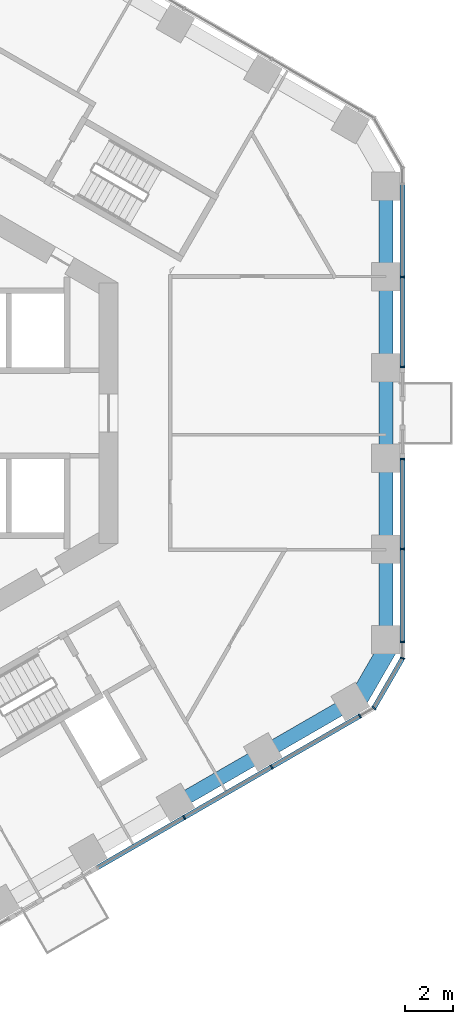
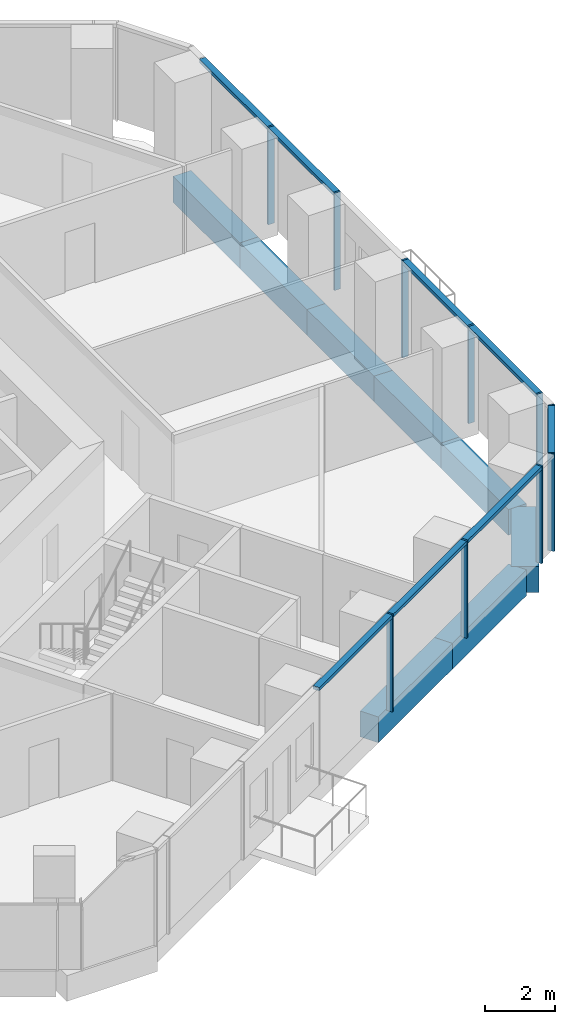
# One storey, part 5 of 20: 14 members, 8 beams, 4 elements without a shape of their own.
"""IFC4 building model written with IfcOpenShell, lengths in metres."""

from ifc_helpers import new_model, si_unit, direction, frame, origin, origin_2d, place, context, subcontext, project, spatial, rectangle, extrude, material, layer, layer_set, material_profile, profile_set, type_object, element, aggregate, save


model = new_model("IFC4")

# Units and contexts
model_context = context("Model", 3, precision=1e-05, world=origin(), true_north=direction((0.0, 1.0)))
body_context = subcontext(model_context, "Body", "Model", "MODEL_VIEW")
ifc_project = project(units=[si_unit("LENGTHUNIT", "METRE"), si_unit("AREAUNIT", "SQUARE_METRE"), si_unit("VOLUMEUNIT", "CUBIC_METRE"), si_unit("PLANEANGLEUNIT", "RADIAN"), si_unit("MASSUNIT", "GRAM", prefix="KILO")], contexts=[model_context])

# Site, building, storey
site_placement = place(None, origin())
site = spatial("IfcSite", under=ifc_project, at=site_placement, CompositionType="ELEMENT")
building_placement = place(site_placement, origin())
building = spatial("IfcBuilding", under=site, at=building_placement, Name="Ayvan Gate Tower", CompositionType="ELEMENT")
storey_placement = place(building_placement, frame((0.0, 0.0, 59.5)))
storey = spatial("IfcBuildingStorey", under=building, at=storey_placement, Name="L15", CompositionType="ELEMENT", Elevation=59.5)

# Beams
ifc_material_1 = material(Name="Concrete C40/50", Category="concrete")
ifc_material_profile_1 = material_profile(ifc_material_1, rectangle(XDim=0.800048828125, YDim=0.89990234375, at=origin_2d()), Name="RC 800x900")
ifc_profile_set_1 = profile_set([ifc_material_profile_1], Name="Concrete C40/50")
beam_type_1 = type_object("IfcBeamType", Name="Corner spandrel beam RC 800x900 C40/50", PredefinedType="BEAM", material=ifc_profile_set_1)
beam_1_placement = place(storey_placement, frame((19.47509765625, -12.306884765625, -0.800048828125), z_axis=(0.499990139034, 0.866031096941, 0.0), x_axis=(-0.866031096941, 0.499990139034, 0.0)))
element("IfcBeam", 1, at=beam_1_placement, inside=storey, type_object=beam_type_1, Name="SB-L15-36", PredefinedType="BEAM", context=body_context, shape_type="SweptSolid", body=[
    extrude(rectangle(XDim=0.800048828125, YDim=0.89990234375, at=origin_2d()), origin(), (0.0, 0.0, 1.0), 3.0),
])
ifc_material_profile_2 = material_profile(ifc_material_1, rectangle(XDim=0.60009765625, YDim=0.89990234375, at=origin_2d()), Name="RC 600x900")
ifc_profile_set_2 = profile_set([ifc_material_profile_2], Name="Concrete C40/50")
beam_type_2 = type_object("IfcBeamType", Name="Spandrel beam RC 600x900 C40/50", PredefinedType="BEAM", material=ifc_profile_set_2)
for number, where, z_axis, x_axis, name in (
    (2, (20.78466796875, -9.598876953125, -0.800048828125), (0.0, 1.0, 0.0), (-1.0, 0.0, 0.0), "SB-L15-1"),
    (3, (20.78466796875, -5.75927734375, -0.800048828125), (0.0, 1.0, 0.0), (-1.0, 0.0, 0.0), "SB-L15-2"),
):
    element("IfcBeam", number, at=place(storey_placement, frame(where, z_axis=z_axis, x_axis=x_axis)), inside=storey, type_object=beam_type_2, Name=name, PredefinedType="BEAM", context=body_context, shape_type="SweptSolid", body=[
        extrude(rectangle(XDim=0.60009765625, YDim=0.89990234375, at=origin_2d()), origin(), (0.0, 0.0, 1.0), 3.839599609375),
    ])
beam_2_placement = place(storey_placement, frame((20.78466796875, -1.919677734375, -0.800048828125), z_axis=(0.0, 1.0, 0.0), x_axis=(-1.0, 0.0, 0.0)))
element("IfcBeam", 4, at=beam_2_placement, inside=storey, type_object=beam_type_2, Name="SB-L15-3", PredefinedType="BEAM", context=body_context, shape_type="SweptSolid", body=[
    extrude(rectangle(XDim=0.60009765625, YDim=0.89990234375, at=origin_2d()), origin(), (0.0, 0.0, 1.0), 3.83935546875),
])
for number, where, z_axis, x_axis, name in (
    (5, (20.78466796875, 1.919677734375, -0.800048828125), (0.0, 1.0, 0.0), (-1.0, 0.0, 0.0), "SB-L15-4"),
    (6, (20.78466796875, 5.75927734375, -0.800048828125), (0.0, 1.0, 0.0), (-1.0, 0.0, 0.0), "SB-L15-5"),
):
    element("IfcBeam", number, at=place(storey_placement, frame(where, z_axis=z_axis, x_axis=x_axis)), inside=storey, type_object=beam_type_2, Name=name, PredefinedType="BEAM", context=body_context, shape_type="SweptSolid", body=[
        extrude(rectangle(XDim=0.60009765625, YDim=0.89990234375, at=origin_2d()), origin(), (0.0, 0.0, 1.0), 3.839599609375),
    ])
for number, where, z_axis, x_axis, name in (
    (7, (11.93896484375, -16.43798828125, -0.800048828125), (0.866016865031, 0.500014789262, 0.0), (-0.500014789262, 0.866016865031, 0.0), "SB-L15-34"),
    (8, (15.61181640625, -14.3173828125, -0.800048828125), (0.866016865031, 0.500014789262, 0.0), (-0.500014789262, 0.866016865031, 0.0), "SB-L15-35"),
):
    element("IfcBeam", number, at=place(storey_placement, frame(where, z_axis=z_axis, x_axis=x_axis)), inside=storey, type_object=beam_type_2, Name=name, PredefinedType="BEAM", context=body_context, shape_type="SweptSolid", body=[
        extrude(rectangle(XDim=0.60009765625, YDim=0.89990234375, at=origin_2d()), origin(), (0.0, 0.0, 1.0), 4.240966796875),
    ])

# Curtain wall, members
ifc_material_2 = material(Name="Bronze anodised aluminium", Category="aluminium")
ifc_layer_1 = layer(ifc_material_2, 0.199951171875)
ifc_layer_set_1 = layer_set([ifc_layer_1], Name="Bronze anodised aluminium")
curtain_wall_type_1 = type_object("IfcCurtainWallType", Name="Stick curtain wall CW-1", PredefinedType="NOTDEFINED", material=ifc_layer_set_1)
curtain_wall_1_placement = place(storey_placement, origin())
curtain_wall_1 = element("IfcCurtainWall", 9, at=curtain_wall_1_placement, inside=storey, type_object=curtain_wall_type_1, Name="Stick curtain wall CW-1 L15", PredefinedType="NOTDEFINED")
ifc_material_profile_3 = material_profile(ifc_material_2, rectangle(XDim=0.199951171875, YDim=0.06005859375, at=origin_2d()), Name="Stick curtain wall CW-1 mullion 200 x 60")
ifc_profile_set_3 = profile_set([ifc_material_profile_3], Name="Bronze anodised aluminium")
member_type_1 = type_object("IfcMemberType", Name="Stick curtain wall CW-1 mullion 200 x 60", PredefinedType="MULLION", material=ifc_profile_set_3)
member_1_placement = place(storey_placement, frame((12.2861328125, -17.029541015625, 0.0), z_axis=(0.0, 0.0, 1.0), x_axis=(0.5, -0.866025403784, 0.0)))
member_1 = element("IfcMember", 10, at=member_1_placement, type_object=member_type_1, Name="CW-1 mullion 2", PredefinedType="MULLION", context=body_context, shape_type="SweptSolid", body=[
    extrude(rectangle(XDim=0.199951171875, YDim=0.06005859375, at=origin_2d()), origin(), (0.0, 0.0, 1.0), 3.39990234375),
])
member_2_placement = place(storey_placement, frame((15.967529296875, -14.904052734375, 0.0), z_axis=(0.0, 0.0, 1.0), x_axis=(0.5, -0.866025403784, 0.0)))
member_2 = element("IfcMember", 11, at=member_2_placement, type_object=member_type_1, Name="CW-1 mullion 3", PredefinedType="MULLION", context=body_context, shape_type="SweptSolid", body=[
    extrude(rectangle(XDim=0.199951171875, YDim=0.06005859375, at=origin_2d()), origin(), (0.0, 0.0, 1.0), 3.39990234375),
])
member_3_placement = place(storey_placement, frame((19.6884765625, -12.755859375, 0.0), z_axis=(0.0, 0.0, 1.0), x_axis=(0.5, -0.866025403784, 0.0)))
member_3 = element("IfcMember", 12, at=member_3_placement, type_object=member_type_1, Name="CW-1 mullion 4", PredefinedType="MULLION", context=body_context, shape_type="SweptSolid", body=[
    extrude(rectangle(XDim=0.199951171875, YDim=0.06005859375, at=origin_2d()), origin(), (0.0, 0.0, 1.0), 3.39990234375),
])

curtain_wall_2_placement = place(storey_placement, origin())
curtain_wall_2 = element("IfcCurtainWall", 13, at=curtain_wall_2_placement, inside=storey, type_object=curtain_wall_type_1, Name="Stick curtain wall CW-1 L15", PredefinedType="NOTDEFINED")
member_4_placement = place(storey_placement, frame((21.484619140625, -9.644775390625, 0.0), z_axis=(0.0, 0.0, 1.0), x_axis=(1.0, 0.0, 0.0)))
member_4 = element("IfcMember", 14, at=member_4_placement, type_object=member_type_1, Name="CW-1 mullion 1", PredefinedType="MULLION", context=body_context, shape_type="SweptSolid", body=[
    extrude(rectangle(XDim=0.199951171875, YDim=0.06005859375, at=origin_2d()), origin(), (0.0, 0.0, 1.0), 3.39990234375),
])
member_5_placement = place(storey_placement, frame((21.484619140625, -5.728759765625, 0.0), z_axis=(0.0, 0.0, 1.0), x_axis=(1.0, 0.0, 0.0)))
member_5 = element("IfcMember", 15, at=member_5_placement, type_object=member_type_1, Name="CW-1 mullion 2", PredefinedType="MULLION", context=body_context, shape_type="SweptSolid", body=[
    extrude(rectangle(XDim=0.199951171875, YDim=0.06005859375, at=origin_2d()), origin(), (0.0, 0.0, 1.0), 3.39990234375),
])
member_6_placement = place(storey_placement, frame((21.484619140625, -1.93994140625, 0.0), z_axis=(0.0, 0.0, 1.0), x_axis=(1.0, 0.0, 0.0)))
member_6 = element("IfcMember", 16, at=member_6_placement, type_object=member_type_1, Name="CW-1 mullion 3", PredefinedType="MULLION", context=body_context, shape_type="SweptSolid", body=[
    extrude(rectangle(XDim=0.199951171875, YDim=0.06005859375, at=origin_2d()), origin(), (0.0, 0.0, 1.0), 3.39990234375),
])

curtain_wall_3_placement = place(storey_placement, origin())
curtain_wall_3 = element("IfcCurtainWall", 17, at=curtain_wall_3_placement, inside=storey, type_object=curtain_wall_type_1, Name="Stick curtain wall CW-1 L15", PredefinedType="NOTDEFINED")
member_7_placement = place(storey_placement, frame((21.484619140625, 1.940185546875, 0.0), z_axis=(0.0, 0.0, 1.0), x_axis=(1.0, 0.0, 0.0)))
member_7 = element("IfcMember", 18, at=member_7_placement, type_object=member_type_1, Name="CW-1 mullion 1", PredefinedType="MULLION", context=body_context, shape_type="SweptSolid", body=[
    extrude(rectangle(XDim=0.199951171875, YDim=0.06005859375, at=origin_2d()), origin(), (0.0, 0.0, 1.0), 3.39990234375),
])
member_8_placement = place(storey_placement, frame((21.484619140625, 5.729248046875, 0.0), z_axis=(0.0, 0.0, 1.0), x_axis=(1.0, 0.0, 0.0)))
member_8 = element("IfcMember", 19, at=member_8_placement, type_object=member_type_1, Name="CW-1 mullion 2", PredefinedType="MULLION", context=body_context, shape_type="SweptSolid", body=[
    extrude(rectangle(XDim=0.199951171875, YDim=0.06005859375, at=origin_2d()), origin(), (0.0, 0.0, 1.0), 3.39990234375),
])

# Member
ifc_material_profile_4 = material_profile(ifc_material_2, rectangle(XDim=0.199951171875, YDim=0.1201171875, at=origin_2d()), Name="Stick curtain wall CW-1 transom 200 x 120")
ifc_profile_set_4 = profile_set([ifc_material_profile_4], Name="Bronze anodised aluminium")
member_type_2 = type_object("IfcMemberType", Name="Stick curtain wall CW-1 transom 200 x 120", PredefinedType="USERDEFINED", material=ifc_profile_set_4)
member_9_placement = place(storey_placement, frame((8.630615234375, -19.14013671875, 3.340087890625), z_axis=(0.866024788974, 0.500001064881, 0.0), x_axis=(-0.500001064881, 0.866024788974, 0.0)))
member_9 = element("IfcMember", 20, at=member_9_placement, type_object=member_type_2, Name="CW-1 transom 1", ObjectType="TRANSOM", PredefinedType="USERDEFINED", context=body_context, shape_type="SweptSolid", body=[
    extrude(rectangle(XDim=0.199951171875, YDim=0.1201171875, at=origin_2d()), origin(), (0.0, 0.0, 1.0), 12.7685546875),
])

aggregate(curtain_wall_1, [member_1, member_2, member_3, member_9])

member_10_placement = place(storey_placement, frame((21.484619140625, -9.644775390625, 3.340087890625), z_axis=(0.0, 1.0, 0.0), x_axis=(-1.0, 0.0, 0.0)))
member_10 = element("IfcMember", 21, at=member_10_placement, type_object=member_type_2, Name="CW-1 transom 1", ObjectType="TRANSOM", PredefinedType="USERDEFINED", context=body_context, shape_type="SweptSolid", body=[
    extrude(rectangle(XDim=0.199951171875, YDim=0.1201171875, at=origin_2d()), origin(), (0.0, 0.0, 1.0), 7.704833984375),
])

aggregate(curtain_wall_2, [member_4, member_5, member_6, member_10])

member_11_placement = place(storey_placement, frame((21.484619140625, 1.940185546875, 3.340087890625), z_axis=(0.0, 1.0, 0.0), x_axis=(-1.0, 0.0, 0.0)))
member_11 = element("IfcMember", 22, at=member_11_placement, type_object=member_type_2, Name="CW-1 transom 1", ObjectType="TRANSOM", PredefinedType="USERDEFINED", context=body_context, shape_type="SweptSolid", body=[
    extrude(rectangle(XDim=0.199951171875, YDim=0.1201171875, at=origin_2d()), origin(), (0.0, 0.0, 1.0), 7.70458984375),
])

aggregate(curtain_wall_3, [member_7, member_8, member_11])

# Curtain wall, members
ifc_layer_2 = layer(ifc_material_2, 0.199951171875)
ifc_layer_set_2 = layer_set([ifc_layer_2], Name="Bronze anodised aluminium")
curtain_wall_type_2 = type_object("IfcCurtainWallType", Name="Stick curtain wall CW-6", PredefinedType="NOTDEFINED", material=ifc_layer_set_2)
curtain_wall_4_placement = place(storey_placement, origin())
curtain_wall_4 = element("IfcCurtainWall", 23, at=curtain_wall_4_placement, inside=storey, type_object=curtain_wall_type_2, Name="Stick curtain wall CW-6 L15", PredefinedType="NOTDEFINED")
ifc_material_profile_5 = material_profile(ifc_material_2, rectangle(XDim=0.199951171875, YDim=0.050048828125, at=origin_2d()), Name="Stick curtain wall CW-6 mullion 200 x 50")
ifc_profile_set_5 = profile_set([ifc_material_profile_5], Name="Bronze anodised aluminium")
member_type_3 = type_object("IfcMemberType", Name="Stick curtain wall CW-6 mullion 200 x 50", PredefinedType="MULLION", material=ifc_profile_set_5)
member_12_placement = place(storey_placement, frame((20.27734375, -12.415771484375, 0.0), z_axis=(0.0, 0.0, 1.0), x_axis=(0.707106781187, -0.707106781187, 0.0)))
member_12 = element("IfcMember", 24, at=member_12_placement, type_object=member_type_3, Name="CW-6 mullion 2", PredefinedType="MULLION", context=body_context, shape_type="SweptSolid", body=[
    extrude(rectangle(XDim=0.199951171875, YDim=0.050048828125, at=origin_2d()), origin(), (0.0, 0.0, 1.0), 3.39990234375),
])
member_13_placement = place(storey_placement, frame((21.484619140625, -10.32470703125, 0.0), z_axis=(0.0, 0.0, 1.0), x_axis=(0.965925826289, -0.258819045103, 0.0)))
member_13 = element("IfcMember", 25, at=member_13_placement, type_object=member_type_3, Name="CW-6 mullion 3", PredefinedType="MULLION", context=body_context, shape_type="SweptSolid", body=[
    extrude(rectangle(XDim=0.199951171875, YDim=0.050048828125, at=origin_2d()), origin(), (0.0, 0.0, 1.0), 3.39990234375),
])
ifc_material_profile_6 = material_profile(ifc_material_2, rectangle(XDim=0.199951171875, YDim=0.1201171875, at=origin_2d()), Name="Stick curtain wall CW-6 transom 200 x 120")
ifc_profile_set_6 = profile_set([ifc_material_profile_6], Name="Bronze anodised aluminium")
member_type_4 = type_object("IfcMemberType", Name="Stick curtain wall CW-6 transom 200 x 120", PredefinedType="USERDEFINED", material=ifc_profile_set_6)
member_14_placement = place(storey_placement, frame((20.289794921875, -12.394287109375, 3.340087890625), z_axis=(0.500014398087, 0.866017090885, 0.0), x_axis=(-0.866017090885, 0.500014398087, 0.0)))
member_14 = element("IfcMember", 26, at=member_14_placement, type_object=member_type_4, Name="CW-6 transom 2", ObjectType="TRANSOM", PredefinedType="USERDEFINED", context=body_context, shape_type="SweptSolid", body=[
    extrude(rectangle(XDim=0.199951171875, YDim=0.1201171875, at=origin_2d()), origin(), (0.0, 0.0, 1.0), 2.36474609375),
])
aggregate(curtain_wall_4, [member_12, member_13, member_14])

save(model, "model.ifc")
